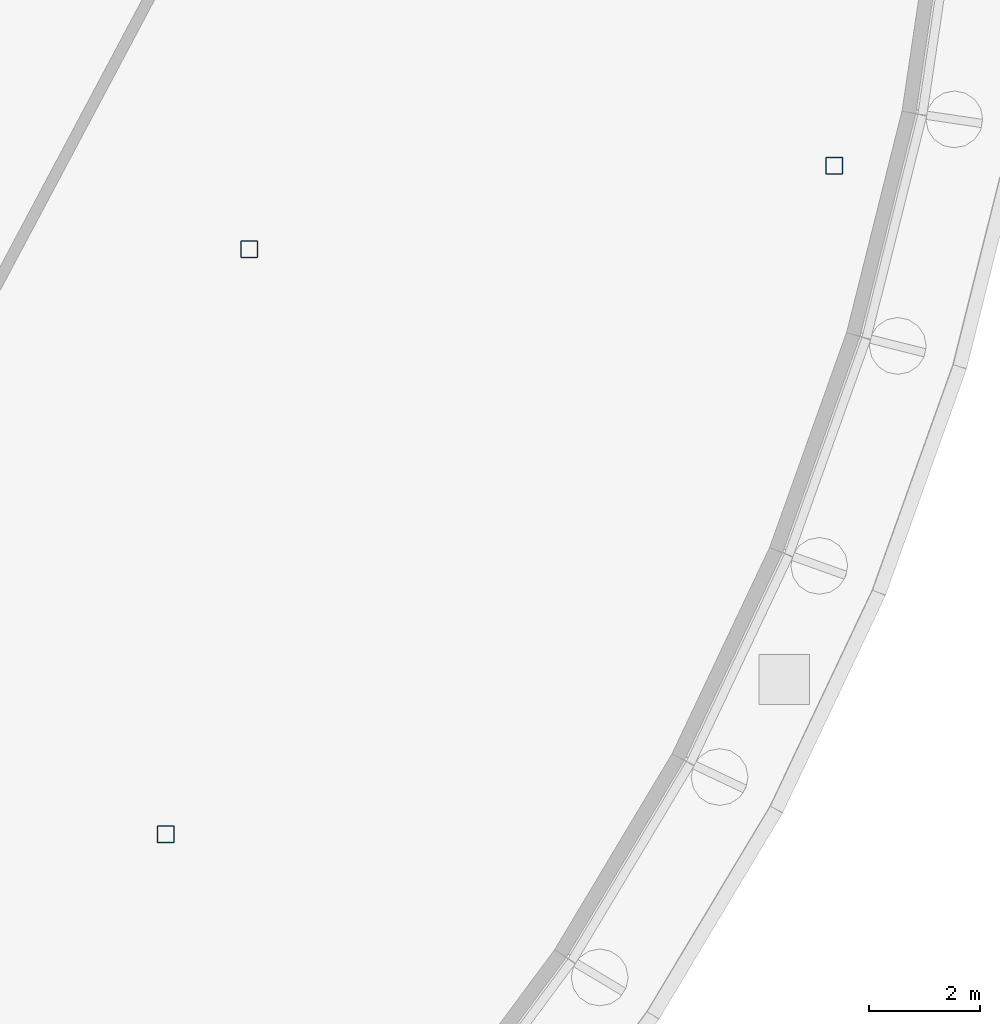
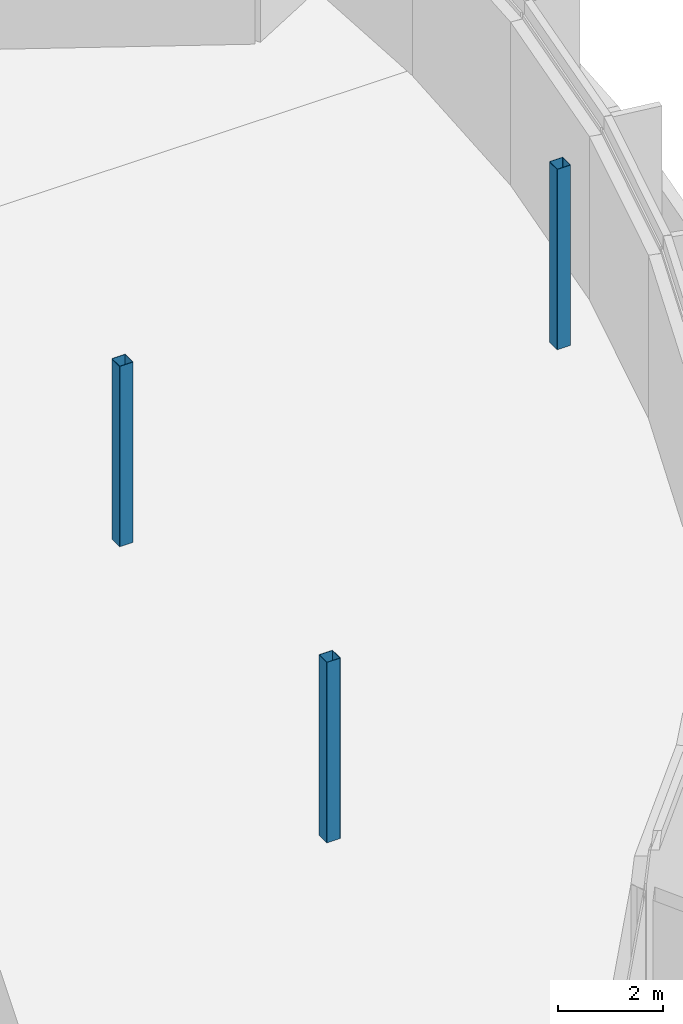
# One storey, part 2 of 15: 3 columns.
"""IFC4 building model written with IfcOpenShell, lengths in metres."""

from ifc_helpers import new_model, si_unit, direction, frame, origin, origin_2d, place, context, subcontext, project, spatial, hollow_rectangle, extrude, material, material_profile, profile_set, type_object, element, save


model = new_model("IFC4")

# Units and contexts
model_context = context("Model", 3, precision=1e-05, world=origin(), true_north=direction((0.0, 1.0)))
body_context = subcontext(model_context, "Body", "Model", "MODEL_VIEW")
ifc_project = project(units=[si_unit("LENGTHUNIT", "METRE"), si_unit("AREAUNIT", "SQUARE_METRE"), si_unit("VOLUMEUNIT", "CUBIC_METRE"), si_unit("PLANEANGLEUNIT", "RADIAN"), si_unit("MASSUNIT", "GRAM", prefix="KILO")], contexts=[model_context])

# Site, building, storey
site_placement = place(None, origin())
site = spatial("IfcSite", under=ifc_project, at=site_placement, CompositionType="ELEMENT")
building_placement = place(site_placement, origin())
building = spatial("IfcBuilding", under=site, at=building_placement, Name="Cormorant Relay Tower", CompositionType="ELEMENT")
storey_placement = place(building_placement, frame((0.0, 0.0, 336.60009765625)))
storey = spatial("IfcBuildingStorey", under=building, at=storey_placement, Name="C3", CompositionType="ELEMENT", Elevation=336.60009765625)

# Columns
ifc_material = material(Name="Steel ASTM A500 Grade C (Fy 345 MPa)", Category="steel")
ifc_material_profile = material_profile(ifc_material, hollow_rectangle(XDim=0.3046875, YDim=0.3046875, WallThickness=0.0087890625, InnerFilletRadius=0.00439453125, OuterFilletRadius=0.01318359375, at=origin_2d()), Name="HSS305x305x9")
ifc_profile_set = profile_set([ifc_material_profile], Name="Steel ASTM A500 Grade C (Fy 345 MPa)")
column_type = type_object("IfcColumnType", Name="Column HSS305x305x9", PredefinedType="COLUMN", material=ifc_profile_set)
for number, where, z_axis, x_axis, name in (
    (1, (-12.0, 0.0, 0.0), (0.0, 0.0, 1.0), (1.0, 0.0, 0.0), "Column C3-001"),
    (2, (-10.5, 10.5, 0.0), (0.0, 0.0, 1.0), (1.0, 0.0, 0.0), "Column C3-002"),
    (3, (0.0, 12.0, 0.0), (0.0, 0.0, 1.0), (1.0, 0.0, 0.0), "Column C3-003"),
):
    element("IfcColumn", number, at=place(storey_placement, frame(where, z_axis=z_axis, x_axis=x_axis)), inside=storey, type_object=column_type, Name=name, PredefinedType="COLUMN", context=body_context, shape_type="SweptSolid", body=[
        extrude(hollow_rectangle(XDim=0.3046875, YDim=0.3046875, WallThickness=0.0087890625, InnerFilletRadius=0.00439453125, OuterFilletRadius=0.01318359375, at=origin_2d()), origin(), (0.0, 0.0, 1.0), 4.199951171875),
    ])

save(model, "model.ifc")
